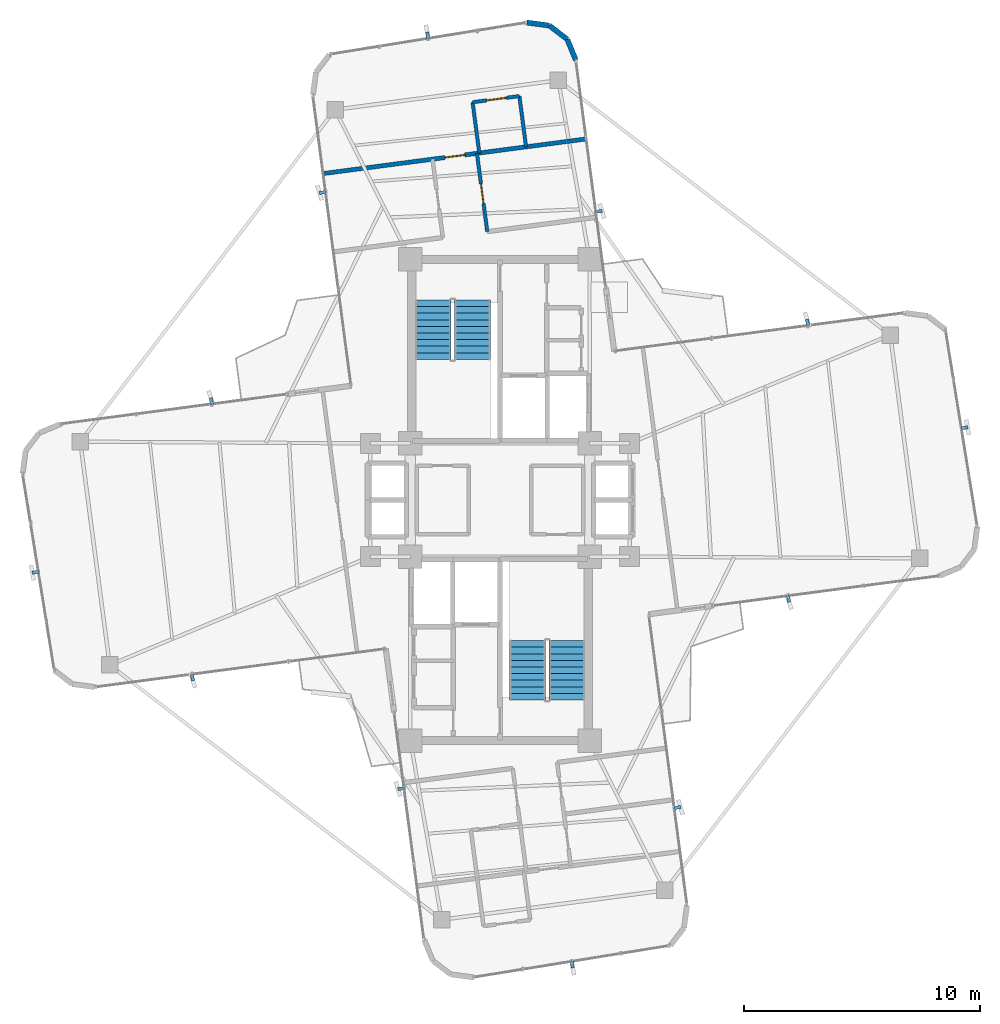
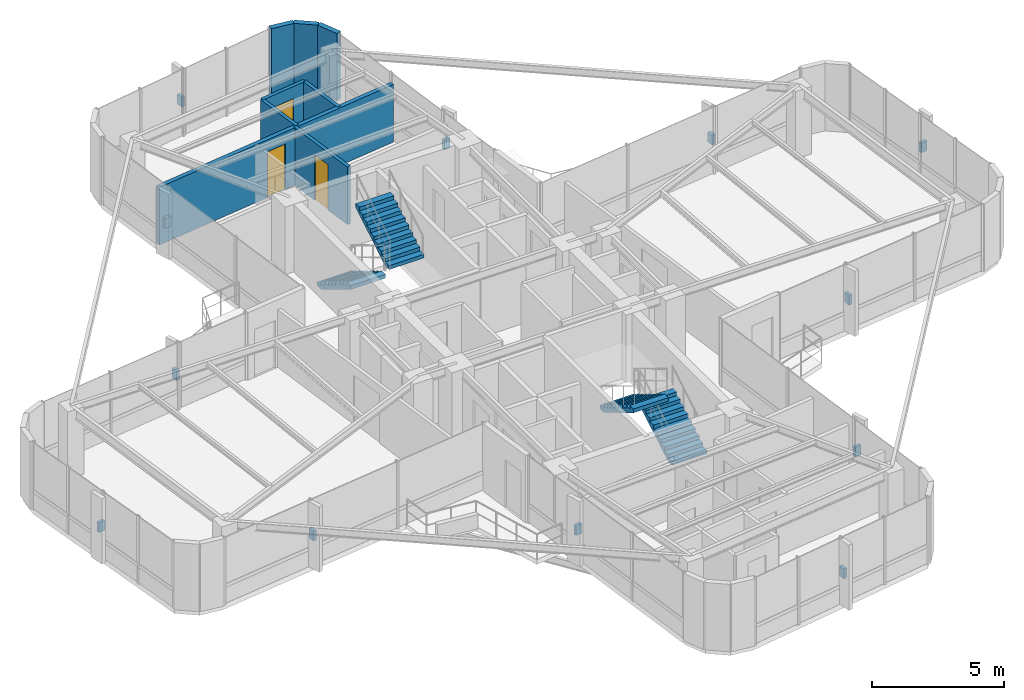
# One storey, part 21 of 22: 12 discrete accessories, 8 walls, 4 stair flights, 3 doors, 3 openings, 2 elements without a shape of their own.
"""IFC4 building model written with IfcOpenShell, lengths in metres."""

from ifc_helpers import new_model, si_unit, direction, frame, frame_2d, origin, origin_2d, place, context, subcontext, project, spatial, polyline, rectangle, outline, extrude, source, transform, mapped, material, layer, layer_set, type_object, element, fill, aggregate, save


model = new_model("IFC4")

# Units and contexts
model_context = context("Model", 3, precision=1e-05, world=origin(), true_north=direction((0.0, 1.0)))
body_context = subcontext(model_context, "Body", "Model", "MODEL_VIEW")
ifc_project = project(units=[si_unit("LENGTHUNIT", "METRE"), si_unit("AREAUNIT", "SQUARE_METRE"), si_unit("VOLUMEUNIT", "CUBIC_METRE"), si_unit("PLANEANGLEUNIT", "RADIAN"), si_unit("MASSUNIT", "GRAM", prefix="KILO")], contexts=[model_context])

# Site, building, storey
site_placement = place(None, origin())
site = spatial("IfcSite", under=ifc_project, at=site_placement, CompositionType="ELEMENT")
building_placement = place(site_placement, origin())
building = spatial("IfcBuilding", under=site, at=building_placement, Name="Sahyath Konkavel Grand Hotel", CompositionType="ELEMENT")
storey_placement = place(building_placement, frame((0.0, 0.0, 237.800048828125)))
storey = spatial("IfcBuildingStorey", under=building, at=storey_placement, Name="L66", CompositionType="ELEMENT", Elevation=237.800048828125)

# Walls
ifc_material_1 = material(Name="Warm Buff Sandstone Insulated Concrete C40/50", Category="masonry")
ifc_layer_1 = layer(ifc_material_1, 0.219970703125)
ifc_layer_set_1 = layer_set([ifc_layer_1], Name="Warm Buff Sandstone Insulated Concrete C40/50")
wall_type_1 = type_object("IfcWallType", Name="WLL-BALC-THRESH", PredefinedType="STANDARD", material=ifc_layer_set_1)
wall_1_placement = place(storey_placement, frame((3.21826171875, 18.649658203125, 0.0), z_axis=(0.0, 0.0, 1.0), x_axis=(-0.382659506909, 0.923889442397, 0.0)))
element("IfcWall", 1, at=wall_1_placement, inside=storey, type_object=wall_type_1, Name="L66 Rounded Corner Sandstone Pier 9", PredefinedType="STANDARD", context=body_context, shape_type="SweptSolid", body=[
    extrude(rectangle(XDim=0.957763671875, YDim=0.219970703125, at=frame_2d((0.47900390625, 0.0))), origin(), (0.0, 0.0, 1.0), 3.10986328125),
])
wall_2_placement = place(storey_placement, frame((2.851806640625, 19.534423828125, 0.0), z_axis=(0.0, 0.0, 1.0), x_axis=(-0.793466811674, 0.60861352168, 0.0)))
element("IfcWall", 2, at=wall_2_placement, inside=storey, type_object=wall_type_1, Name="L66 Rounded Corner Sandstone Pier 10", PredefinedType="STANDARD", context=body_context, shape_type="SweptSolid", body=[
    extrude(rectangle(XDim=0.95751953125, YDim=0.219970703125, at=frame_2d((0.478759765625, 0.0))), origin(), (0.0, 0.0, 1.0), 3.10986328125),
])
wall_3_placement = place(storey_placement, frame((2.092041015625, 20.1171875, 0.0), z_axis=(0.0, 0.0, 1.0), x_axis=(-0.991444747987, 0.130527053476, 0.0)))
element("IfcWall", 3, at=wall_3_placement, inside=storey, type_object=wall_type_1, Name="L66 Rounded Corner Sandstone Pier 11", PredefinedType="STANDARD", context=body_context, shape_type="SweptSolid", body=[
    extrude(rectangle(XDim=0.957763671875, YDim=0.219970703125, at=frame_2d((0.47900390625, 0.0))), origin(), (0.0, 0.0, 1.0), 3.10986328125),
])

# Wall, opening, door
ifc_material_2 = material(Name="Twin-Stud Acoustic Gypsum Plasterboard Partition")
ifc_layer_2 = layer(ifc_material_2, 0.179931640625)
ifc_layer_set_2 = layer_set([ifc_layer_2], Name="Twin-Stud Acoustic Gypsum Plasterboard Partition")
wall_type_2 = type_object("IfcWallType", Name="WLL-DEMISE-180", PredefinedType="PARTITIONING", material=ifc_layer_set_2)
wall_4_placement = place(storey_placement, frame((3.608642578125, 15.302001953125, 0.0), z_axis=(0.0, 0.0, 1.0), x_axis=(-0.991445499165, -0.130521347626, 0.0)))
wall_4 = element("IfcWall", 4, at=wall_4_placement, inside=storey, type_object=wall_type_2, Name="L66 Partition N-NTIP-END", PredefinedType="PARTITIONING", context=body_context, shape_type="SweptSolid", body=[
    extrude(rectangle(XDim=11.150146484375, YDim=0.179931640625, at=frame_2d((5.5751953125, 0.0))), origin(), (0.0, 0.0, 1.0), 2.659912109375),
])
opening_1_placement = place(wall_4_placement, frame((5.14990234375, 0.0, 0.0)))
opening_1 = element("IfcOpeningElement", 5, at=opening_1_placement, cuts=wall_4, Name="Opening D-F06D", PredefinedType="OPENING", context=body_context, shape_type="SweptSolid", body=[
    extrude(rectangle(XDim=0.85009765625, YDim=2.10009765625, at=frame_2d((0.425048828125, 1.050048828125))), frame((0.0, 0.10009765625, 0.0), z_axis=(0.0, -1.0, 0.0), x_axis=(1.0, 0.0, 0.0)), (0.0, 0.0, 1.0), 0.199951171875),
])
ifc_material_3 = material(Name="Fire-Rated Shaft Access Door")
door_type_1 = type_object("IfcDoorType", Name="DR-FD60-850", OperationType="NOTDEFINED", PredefinedType="DOOR", material=ifc_material_3)
shared_shape_1 = source(origin(), body_context, "Body", "SweptSolid", [
    extrude(rectangle(XDim=0.85009765625, YDim=0.050048828125, at=origin_2d()), origin(), (0.0, 0.0, 1.0), 2.10009765625),
])
door_1_placement = place(opening_1_placement, frame((0.425048828125, 0.0, 0.0)))
door_1 = element("IfcDoor", 6, at=door_1_placement, inside=storey, type_object=door_type_1, Name="L66 Door N-NTIP-ED", OperationType="SINGLE_SWING_LEFT", OverallHeight=2.10009765625, OverallWidth=0.85009765625, PredefinedType="DOOR", context=body_context, shape_type="MappedRepresentation", body=[
    mapped(shared_shape_1, transform((0.0, 0.0, 0.0), scale=1.0)),
])
fill(opening_1, door_1)

ifc_material_4 = material(Name="Fire-Rated Gypsum Plasterboard Partition")
ifc_layer_3 = layer(ifc_material_4, 0.14990234375)
ifc_layer_set_3 = layer_set([ifc_layer_3], Name="Fire-Rated Gypsum Plasterboard Partition")
wall_type_3 = type_object("IfcWallType", Name="WLL-PART-150", PredefinedType="PARTITIONING", material=ifc_layer_set_3)
wall_5_placement = place(storey_placement, frame((-0.53955078125, 11.376953125, 0.0), z_axis=(0.0, 0.0, 1.0), x_axis=(-0.130526150873, 0.991444866817, 0.0)))
wall_5 = element("IfcWall", 7, at=wall_5_placement, inside=storey, type_object=wall_type_3, Name="L66 Partition N-CR", PredefinedType="PARTITIONING", context=body_context, shape_type="SweptSolid", body=[
    extrude(rectangle(XDim=3.349853515625, YDim=0.14990234375, at=frame_2d((1.6748046875, 0.0))), origin(), (0.0, 0.0, 1.0), 2.659912109375),
])
opening_2_placement = place(wall_5_placement, frame((1.199951171875, 0.0, 0.0)))
opening_2 = element("IfcOpeningElement", 8, at=opening_2_placement, cuts=wall_5, Name="Opening D-F06D", PredefinedType="OPENING", context=body_context, shape_type="SweptSolid", body=[
    extrude(rectangle(XDim=0.85009765625, YDim=2.10009765625, at=frame_2d((0.425048828125, 1.050048828125))), frame((0.0, 0.0849609375, 0.0), z_axis=(0.0, -1.0, 0.0), x_axis=(1.0, 0.0, 0.0)), (0.0, 0.0, 1.0), 0.169921875),
])
door_2_placement = place(opening_2_placement, frame((0.425048828125, 0.0, 0.0)))
door_2 = element("IfcDoor", 9, at=door_2_placement, inside=storey, type_object=door_type_1, Name="L66 Door N-NS3R-D", OperationType="SINGLE_SWING_LEFT", OverallHeight=2.10009765625, OverallWidth=0.85009765625, PredefinedType="DOOR", context=body_context, shape_type="MappedRepresentation", body=[
    mapped(shared_shape_1, transform((0.0, 0.0, 0.0), scale=1.0)),
])
fill(opening_2, door_2)

# Walls
wall_6_placement = place(storey_placement, frame((-0.877685546875, 14.711181640625, 0.0), z_axis=(0.0, 0.0, 1.0), x_axis=(-0.130550501092, 0.991441660747, 0.0)))
element("IfcWall", 10, at=wall_6_placement, inside=storey, type_object=wall_type_3, Name="L66 Partition N-NTIP-BN", PredefinedType="PARTITIONING", context=body_context, shape_type="SweptSolid", body=[
    extrude(rectangle(XDim=2.171142578125, YDim=0.14990234375, at=frame_2d((1.08544921875, 0.0))), origin(), (0.0, 0.0, 1.0), 2.659912109375),
])
wall_7_placement = place(storey_placement, frame((1.105224609375, 14.972412109375, 0.0), z_axis=(0.0, 0.0, 1.0), x_axis=(-0.130565057024, 0.99143974395, 0.0)))
element("IfcWall", 11, at=wall_7_placement, inside=storey, type_object=wall_type_3, Name="L66 Partition N-NTIP-BS", PredefinedType="PARTITIONING", context=body_context, shape_type="SweptSolid", body=[
    extrude(rectangle(XDim=2.1708984375, YDim=0.14990234375, at=frame_2d((1.08544921875, 0.0))), origin(), (0.0, 0.0, 1.0), 2.659912109375),
])

# Wall, opening, door
wall_8_placement = place(storey_placement, frame((0.82177734375, 17.124755859375, 0.0), z_axis=(0.0, 0.0, 1.0), x_axis=(-0.991449308994, -0.130492404742, 0.0)))
wall_8 = element("IfcWall", 12, at=wall_8_placement, inside=storey, type_object=wall_type_3, Name="L66 Partition N-NTIP-BE", PredefinedType="PARTITIONING", context=body_context, shape_type="SweptSolid", body=[
    extrude(rectangle(XDim=2.0, YDim=0.14990234375, at=frame_2d((1.0, 0.0))), origin(), (0.0, 0.0, 1.0), 2.659912109375),
])
opening_3_placement = place(wall_8_placement, frame((0.550048828125, 0.0, 0.0)))
opening_3 = element("IfcOpeningElement", 13, at=opening_3_placement, cuts=wall_8, Name="Opening D-BT85", PredefinedType="OPENING", context=body_context, shape_type="SweptSolid", body=[
    extrude(rectangle(XDim=0.85009765625, YDim=2.10009765625, at=frame_2d((0.425048828125, 1.050048828125))), frame((0.0, 0.0849609375, 0.0), z_axis=(0.0, -1.0, 0.0), x_axis=(1.0, 0.0, 0.0)), (0.0, 0.0, 1.0), 0.169921875),
])
ifc_material_5 = material(Name="Moisture-Resistant Teak Bathroom Door")
door_type_2 = type_object("IfcDoorType", Name="DR-BATH-850", OperationType="NOTDEFINED", PredefinedType="DOOR", material=ifc_material_5)
door_3_placement = place(opening_3_placement, frame((0.425048828125, 0.0, 0.0)))
door_3 = element("IfcDoor", 14, at=door_3_placement, inside=storey, type_object=door_type_2, Name="L66 Door N-NTIP-BD", OperationType="SINGLE_SWING_RIGHT", OverallHeight=2.10009765625, OverallWidth=0.85009765625, PredefinedType="DOOR", context=body_context, shape_type="MappedRepresentation", body=[
    mapped(shared_shape_1, transform((0.0, 0.0, 0.0), scale=1.0)),
])
fill(opening_3, door_3)

# Stair, stair flights
ifc_material_6 = material(Name="Concrete C40/50", Category="concrete")
stair_type = type_object("IfcStairType", Name="STR-ST16-335", PredefinedType="HALF_TURN_STAIR", material=ifc_material_6)
stair_1_placement = place(storey_placement, origin())
stair_1 = element("IfcStair", 15, at=stair_1_placement, inside=storey, type_object=stair_type, Name="L66 North Core Smokeproof Exit Stair ST-1", PredefinedType="HALF_TURN_STAIR")
stair_flight_type = type_object("IfcStairFlightType", Name="STF-ST16-335", PredefinedType="STRAIGHT", material=ifc_material_6)
stair_flight_1_placement = place(storey_placement, frame((-2.840087890625, 8.47998046875, 0.0), z_axis=(0.0, 0.0, 1.0), x_axis=(0.0, -1.0, 0.0)))
stair_flight_1 = element("IfcStairFlight", 16, at=stair_flight_1_placement, type_object=stair_flight_type, Name="ST-1 flight 1", NumberOfRisers=10, NumberOfTreads=9, PredefinedType="STRAIGHT", RiserHeight=0.1675, TreadLength=0.28, context=body_context, shape_type="SweptSolid", body=[
    extrude(outline(polyline([(0.0, 0.0), (0.0, 0.16748046875), (0.280029296875, 0.16748046875), (0.280029296875, 0.3349609375), (0.56005859375, 0.3349609375), (0.56005859375, 0.50244140625), (0.840087890625, 0.50244140625), (0.840087890625, 0.669921875), (1.1201171875, 0.669921875), (1.1201171875, 0.83740234375), (1.39990234375, 0.83740234375), (1.39990234375, 1.0048828125), (1.679931640625, 1.0048828125), (1.679931640625, 1.172607421875), (1.9599609375, 1.172607421875), (1.9599609375, 1.340087890625), (2.239990234375, 1.340087890625), (2.239990234375, 1.507568359375), (2.52001953125, 1.507568359375), (2.52001953125, 1.675048828125), (2.52001953125, 1.332763671875), (0.2919921875, 0.0), (0.0, 0.0)])), frame((0.0, 0.760009765625, 0.0), z_axis=(0.0, -1.0, 0.0), x_axis=(1.0, 0.0, 0.0)), (0.0, 0.0, 1.0), 1.52001953125),
])
stair_flight_2_placement = place(storey_placement, frame((-1.159912109375, 5.9599609375, 1.675048828125), z_axis=(0.0, 0.0, 1.0), x_axis=(0.0, 1.0, 0.0)))
stair_flight_2 = element("IfcStairFlight", 17, at=stair_flight_2_placement, type_object=stair_flight_type, Name="ST-1 flight 2", NumberOfRisers=10, NumberOfTreads=9, PredefinedType="STRAIGHT", RiserHeight=0.1675, TreadLength=0.28, context=body_context, shape_type="SweptSolid", body=[
    extrude(outline(polyline([(0.0, 0.0), (0.0, 0.16748046875), (0.280029296875, 0.16748046875), (0.280029296875, 0.3349609375), (0.56005859375, 0.3349609375), (0.56005859375, 0.50244140625), (0.840087890625, 0.50244140625), (0.840087890625, 0.669921875), (1.1201171875, 0.669921875), (1.1201171875, 0.83740234375), (1.39990234375, 0.83740234375), (1.39990234375, 1.0048828125), (1.679931640625, 1.0048828125), (1.679931640625, 1.172607421875), (1.9599609375, 1.172607421875), (1.9599609375, 1.340087890625), (2.239990234375, 1.340087890625), (2.239990234375, 1.507568359375), (2.52001953125, 1.507568359375), (2.52001953125, 1.675048828125), (2.52001953125, 1.332763671875), (0.2919921875, 0.0), (0.0, 0.0)])), frame((0.0, 0.760009765625, 0.0), z_axis=(0.0, -1.0, 0.0), x_axis=(1.0, 0.0, 0.0)), (0.0, 0.0, 1.0), 1.52001953125),
])
aggregate(stair_1, [stair_flight_1, stair_flight_2])

stair_2_placement = place(storey_placement, origin())
stair_2 = element("IfcStair", 18, at=stair_2_placement, inside=storey, type_object=stair_type, Name="L66 South Core Smokeproof Exit Stair ST-2", PredefinedType="HALF_TURN_STAIR")
stair_flight_3_placement = place(storey_placement, frame((2.840087890625, -8.47998046875, 0.0), z_axis=(0.0, 0.0, 1.0), x_axis=(0.0, 1.0, 0.0)))
stair_flight_3 = element("IfcStairFlight", 19, at=stair_flight_3_placement, type_object=stair_flight_type, Name="ST-2 flight 1", NumberOfRisers=10, NumberOfTreads=9, PredefinedType="STRAIGHT", RiserHeight=0.1675, TreadLength=0.28, context=body_context, shape_type="SweptSolid", body=[
    extrude(outline(polyline([(0.0, 0.0), (0.0, 0.16748046875), (0.280029296875, 0.16748046875), (0.280029296875, 0.3349609375), (0.56005859375, 0.3349609375), (0.56005859375, 0.50244140625), (0.840087890625, 0.50244140625), (0.840087890625, 0.669921875), (1.1201171875, 0.669921875), (1.1201171875, 0.83740234375), (1.39990234375, 0.83740234375), (1.39990234375, 1.0048828125), (1.679931640625, 1.0048828125), (1.679931640625, 1.172607421875), (1.9599609375, 1.172607421875), (1.9599609375, 1.340087890625), (2.239990234375, 1.340087890625), (2.239990234375, 1.507568359375), (2.52001953125, 1.507568359375), (2.52001953125, 1.675048828125), (2.52001953125, 1.332763671875), (0.2919921875, 0.0), (0.0, 0.0)])), frame((0.0, 0.760009765625, 0.0), z_axis=(0.0, -1.0, 0.0), x_axis=(1.0, 0.0, 0.0)), (0.0, 0.0, 1.0), 1.52001953125),
])
stair_flight_4_placement = place(storey_placement, frame((1.159912109375, -5.9599609375, 1.675048828125), z_axis=(0.0, 0.0, 1.0), x_axis=(0.0, -1.0, 0.0)))
stair_flight_4 = element("IfcStairFlight", 20, at=stair_flight_4_placement, type_object=stair_flight_type, Name="ST-2 flight 2", NumberOfRisers=10, NumberOfTreads=9, PredefinedType="STRAIGHT", RiserHeight=0.1675, TreadLength=0.28, context=body_context, shape_type="SweptSolid", body=[
    extrude(outline(polyline([(0.0, 0.0), (0.0, 0.16748046875), (0.280029296875, 0.16748046875), (0.280029296875, 0.3349609375), (0.56005859375, 0.3349609375), (0.56005859375, 0.50244140625), (0.840087890625, 0.50244140625), (0.840087890625, 0.669921875), (1.1201171875, 0.669921875), (1.1201171875, 0.83740234375), (1.39990234375, 0.83740234375), (1.39990234375, 1.0048828125), (1.679931640625, 1.0048828125), (1.679931640625, 1.172607421875), (1.9599609375, 1.172607421875), (1.9599609375, 1.340087890625), (2.239990234375, 1.340087890625), (2.239990234375, 1.507568359375), (2.52001953125, 1.507568359375), (2.52001953125, 1.675048828125), (2.52001953125, 1.332763671875), (0.2919921875, 0.0), (0.0, 0.0)])), frame((0.0, 0.760009765625, 0.0), z_axis=(0.0, -1.0, 0.0), x_axis=(1.0, 0.0, 0.0)), (0.0, 0.0, 1.0), 1.52001953125),
])
aggregate(stair_2, [stair_flight_3, stair_flight_4])

# Discrete accessories
ifc_material_7 = material(Name="Steel E350", Category="steel")
discrete_accessory_type = type_object("IfcDiscreteAccessoryType", Name="ACC-FIN-BRACKET", PredefinedType="BRACKET", material=ifc_material_7)
shared_shape_2 = source(origin(), body_context, "Body", "SweptSolid", [
    extrude(rectangle(XDim=0.280029296875, YDim=0.139892578125, at=origin_2d()), origin(), (0.0, 0.0, 1.0), 0.449951171875),
])
for number, where, z_axis, x_axis, name in (
    (21, (12.23876953125, -4.193603515625, 1.330078125), (0.0, 0.0, 1.0), (0.13052619222, -0.991444861374, 0.0), "L66 Fin Support Bracket F0-1"),
    (22, (19.694580078125, 3.063232421875, 1.330078125), (0.0, 0.0, 1.0), (0.987205932431, 0.159450453036, 0.0), "L66 Fin Support Bracket F4-2"),
    (23, (13.0380859375, 7.521240234375, 1.330078125), (0.0, 0.0, 1.0), (-0.13052619222, 0.991444861374, 0.0), "L66 Fin Support Bracket F7-1"),
    (24, (4.193603515625, 12.23876953125, 1.330078125), (0.0, 0.0, 1.0), (0.991444861374, 0.13052619222, 0.0), "L66 Fin Support Bracket F8-1"),
    (25, (-3.063232421875, 19.694580078125, 1.330078125), (0.0, 0.0, 1.0), (-0.159450453036, 0.987205932431, 0.0), "L66 Fin Support Bracket F12-2"),
    (26, (-7.521240234375, 13.0380859375, 1.330078125), (0.0, 0.0, 1.0), (-0.991444861374, -0.13052619222, 0.0), "L66 Fin Support Bracket F15-1"),
    (27, (-12.23876953125, 4.193603515625, 1.330078125), (0.0, 0.0, 1.0), (-0.13052619222, 0.991444861374, 0.0), "L66 Fin Support Bracket F16-1"),
    (28, (-19.694580078125, -3.063232421875, 1.330078125), (0.0, 0.0, 1.0), (-0.987205932431, -0.159450453036, 0.0), "L66 Fin Support Bracket F20-2"),
    (29, (-13.0380859375, -7.521240234375, 1.330078125), (0.0, 0.0, 1.0), (0.13052619222, -0.991444861374, 0.0), "L66 Fin Support Bracket F23-1"),
    (30, (-4.193603515625, -12.23876953125, 1.330078125), (0.0, 0.0, 1.0), (-0.991444861374, -0.13052619222, 0.0), "L66 Fin Support Bracket F24-1"),
    (31, (3.063232421875, -19.694580078125, 1.330078125), (0.0, 0.0, 1.0), (0.159450453036, -0.987205932431, 0.0), "L66 Fin Support Bracket F28-2"),
    (32, (7.521240234375, -13.0380859375, 1.330078125), (0.0, 0.0, 1.0), (0.991444861374, 0.13052619222, 0.0), "L66 Fin Support Bracket F31-1"),
):
    element("IfcDiscreteAccessory", number, at=place(storey_placement, frame(where, z_axis=z_axis, x_axis=x_axis)), inside=storey, type_object=discrete_accessory_type, Name=name, PredefinedType="BRACKET", context=body_context, shape_type="MappedRepresentation", body=[
        mapped(shared_shape_2, transform((0.0, 0.0, 0.0), scale=1.0)),
    ])

save(model, "model.ifc")
